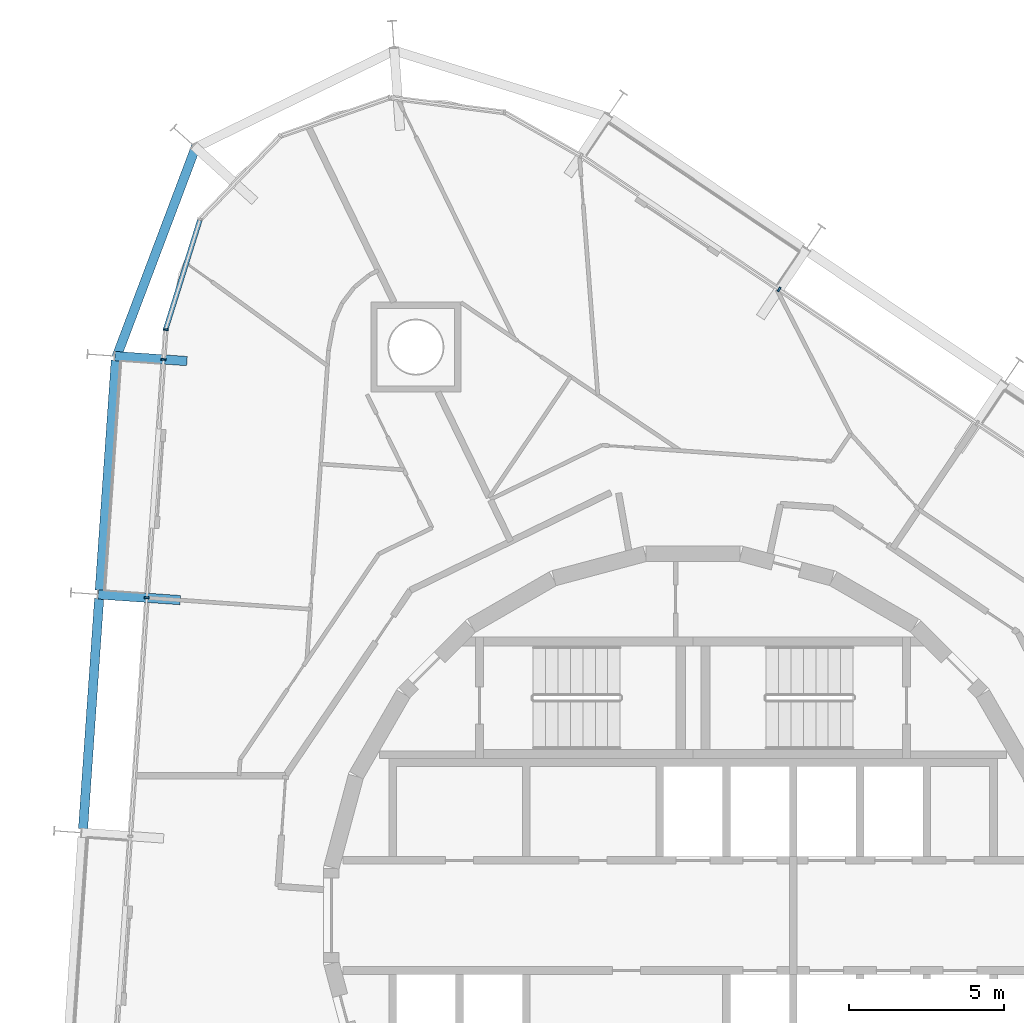
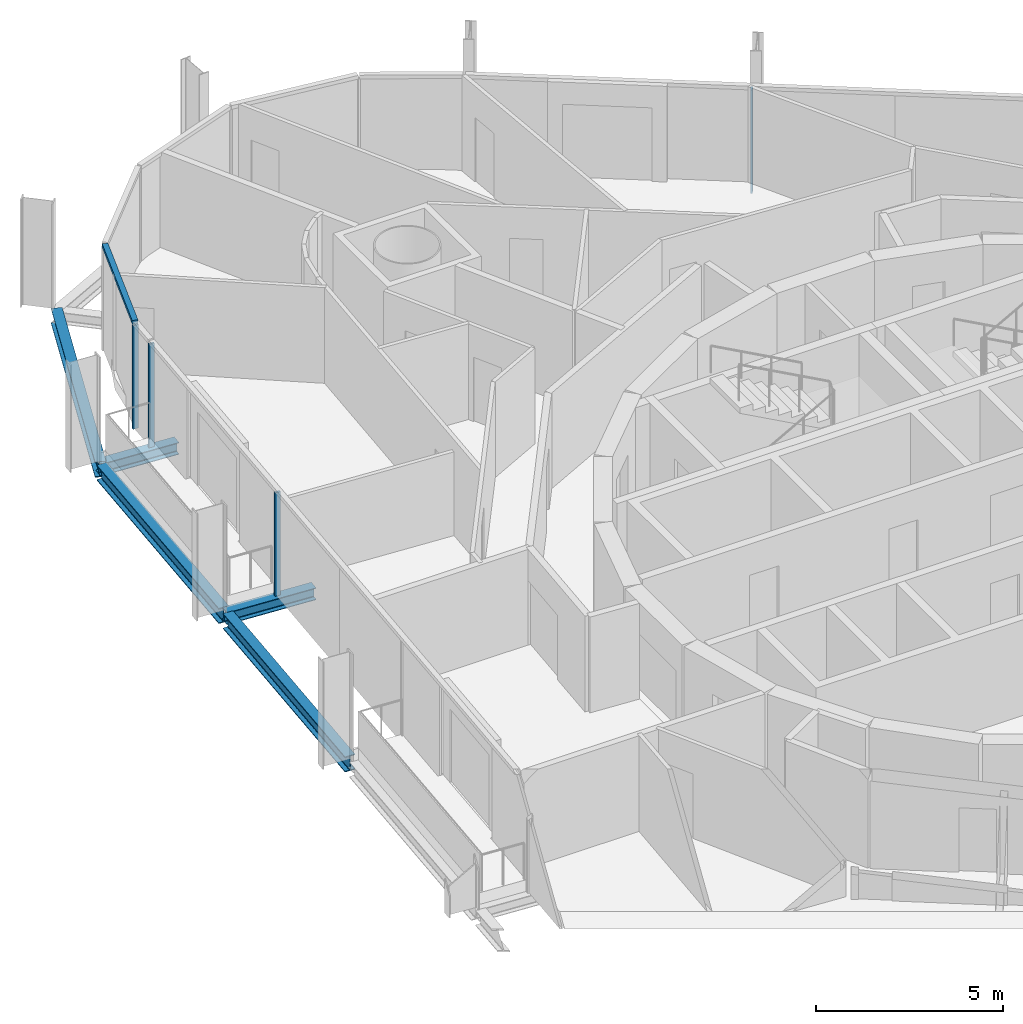
# One storey, part 6 of 17: 5 beams, 5 members, 3 elements without a shape of their own.
"""IFC4 building model written with IfcOpenShell, lengths in metres."""

from ifc_helpers import new_model, si_unit, direction, frame, origin, origin_2d, place, context, subcontext, project, spatial, rectangle, i_section, extrude, material, layer, layer_set, material_profile, profile_set, type_object, element, aggregate, save


model = new_model("IFC4")

# Units and contexts
model_context = context("Model", 3, precision=1e-05, world=origin(), true_north=direction((0.0, 1.0)))
body_context = subcontext(model_context, "Body", "Model", "MODEL_VIEW")
ifc_project = project(units=[si_unit("LENGTHUNIT", "METRE"), si_unit("AREAUNIT", "SQUARE_METRE"), si_unit("VOLUMEUNIT", "CUBIC_METRE"), si_unit("PLANEANGLEUNIT", "RADIAN"), si_unit("MASSUNIT", "GRAM", prefix="KILO")], contexts=[model_context])

# Site, building, storey
site_placement = place(None, origin())
site = spatial("IfcSite", under=ifc_project, at=site_placement, CompositionType="ELEMENT")
building_placement = place(site_placement, origin())
building = spatial("IfcBuilding", under=site, at=building_placement, Name="Spindle Arch Residences", CompositionType="ELEMENT")
storey_placement = place(building_placement, frame((0.0, 0.0, 209.39990234375)))
storey = spatial("IfcBuildingStorey", under=building, at=storey_placement, Name="L53", CompositionType="ELEMENT", Elevation=209.39990234375)

# Curtain wall, member
ifc_material_1 = material(Name="Aluminium bronze unitised frame with tinted glass", Category="aluminium")
ifc_layer_1 = layer(ifc_material_1, 0.159912109375)
ifc_layer_set_1 = layer_set([ifc_layer_1], Name="CW-C typical residential unitised wall")
curtain_wall_type_1 = type_object("IfcCurtainWallType", Name="CW-C typical residential unitised wall", PredefinedType="NOTDEFINED", material=ifc_layer_set_1)
curtain_wall_1_placement = place(storey_placement, origin())
curtain_wall_1 = element("IfcCurtainWall", 1, at=curtain_wall_1_placement, inside=storey, type_object=curtain_wall_type_1, Name="CW-C L53 run 2", PredefinedType="NOTDEFINED")
ifc_material_2 = material(Name="Aluminium bronze anodised mullion", Category="aluminium")
ifc_material_profile_1 = material_profile(ifc_material_2, rectangle(XDim=0.159912109375, YDim=0.06005859375, at=origin_2d()), Name="MU 60x160")
ifc_profile_set_1 = profile_set([ifc_material_profile_1], Name="Aluminium bronze anodised mullion")
member_type_1 = type_object("IfcMemberType", Name="Bronze mullion 60x160", PredefinedType="MULLION", material=ifc_profile_set_1)
member_1_placement = place(storey_placement, frame((2.769775390625, 20.158203125, -0.3798828125), z_axis=(0.0, 0.0, 1.0), x_axis=(-0.559192903471, -0.829037572555, 0.0)))
member_1 = element("IfcMember", 2, at=member_1_placement, type_object=member_type_1, Name="CW-C mullion 08", PredefinedType="MULLION", context=body_context, shape_type="SweptSolid", body=[
    extrude(rectangle(XDim=0.159912109375, YDim=0.06005859375, at=origin_2d()), origin(), (0.0, 0.0, 1.0), 3.3798828125),
])
aggregate(curtain_wall_1, [member_1])

ifc_material_3 = material(Name="Aluminium bronze unitised frame with tinted glass", Category="aluminium")
ifc_layer_2 = layer(ifc_material_3, 0.159912109375)
ifc_layer_set_2 = layer_set([ifc_layer_2], Name="CW-D corner wall on the fillet arcs")
curtain_wall_type_2 = type_object("IfcCurtainWallType", Name="CW-D corner wall on the fillet arcs", PredefinedType="NOTDEFINED", material=ifc_layer_set_2)
curtain_wall_2_placement = place(storey_placement, origin())
curtain_wall_2 = element("IfcCurtainWall", 3, at=curtain_wall_2_placement, inside=storey, type_object=curtain_wall_type_2, Name="CW-D L53 run 3", PredefinedType="NOTDEFINED")
member_2_placement = place(storey_placement, frame((-16.986328125, 18.864501953125, -0.3798828125), z_axis=(0.0, 0.0, 1.0), x_axis=(0.99756405026, -0.069756473744, 0.0)))
member_2 = element("IfcMember", 4, at=member_2_placement, type_object=member_type_1, Name="CW-D mullion 05", PredefinedType="MULLION", context=body_context, shape_type="SweptSolid", body=[
    extrude(rectangle(XDim=0.159912109375, YDim=0.06005859375, at=origin_2d()), origin(), (0.0, 0.0, 1.0), 3.3798828125),
])

# Curtain wall, members
curtain_wall_3_placement = place(storey_placement, origin())
curtain_wall_3 = element("IfcCurtainWall", 5, at=curtain_wall_3_placement, inside=storey, type_object=curtain_wall_type_1, Name="CW-C L53 run 4", PredefinedType="NOTDEFINED")
member_3_placement = place(storey_placement, frame((-17.053466796875, 17.90283203125, -0.3798828125), z_axis=(0.0, 0.0, 1.0), x_axis=(0.99756405026, -0.069756473744, 0.0)))
member_3 = element("IfcMember", 6, at=member_3_placement, type_object=member_type_1, Name="CW-C mullion 12", PredefinedType="MULLION", context=body_context, shape_type="SweptSolid", body=[
    extrude(rectangle(XDim=0.159912109375, YDim=0.06005859375, at=origin_2d()), origin(), (0.0, 0.0, 1.0), 3.3798828125),
])
member_4_placement = place(storey_placement, frame((-17.590087890625, 10.22802734375, -0.3798828125), z_axis=(0.0, 0.0, 1.0), x_axis=(0.99756405026, -0.069756473744, 0.0)))
member_4 = element("IfcMember", 7, at=member_4_placement, type_object=member_type_1, Name="CW-C mullion 13", PredefinedType="MULLION", context=body_context, shape_type="SweptSolid", body=[
    extrude(rectangle(XDim=0.159912109375, YDim=0.06005859375, at=origin_2d()), origin(), (0.0, 0.0, 1.0), 3.3798828125),
])
aggregate(curtain_wall_3, [member_3, member_4])

# Member
ifc_material_4 = material(Name="Aluminium bronze anodised transom", Category="aluminium")
ifc_material_profile_2 = material_profile(ifc_material_4, rectangle(XDim=0.159912109375, YDim=0.1201171875, at=origin_2d()), Name="TR 120x160")
ifc_profile_set_2 = profile_set([ifc_material_profile_2], Name="Aluminium bronze anodised transom")
member_type_2 = type_object("IfcMemberType", Name="Bronze transom 120x160", PredefinedType="USERDEFINED", material=ifc_profile_set_2)
member_5_placement = place(storey_placement, frame((-15.884765625, 22.393310546875, 3.06005859375), z_axis=(-0.297952730594, -0.95458062537, 0.0), x_axis=(0.95458062537, -0.297952730594, 0.0)))
member_5 = element("IfcMember", 8, at=member_5_placement, type_object=member_type_2, Name="CW-D transom 04", ObjectType="TRANSOM", PredefinedType="USERDEFINED", context=body_context, shape_type="SweptSolid", body=[
    extrude(rectangle(XDim=0.159912109375, YDim=0.1201171875, at=origin_2d()), origin(), (0.0, 0.0, 1.0), 3.666748046875),
])

aggregate(curtain_wall_2, [member_5, member_2])

# Beams
ifc_material_5 = material(Name="Steel S460ML, intumescent coating R 120", Category="steel")
ifc_material_profile_3 = material_profile(ifc_material_5, i_section(OverallWidth=0.300048828125, OverallDepth=0.5, WebThickness=0.014404296875, FlangeThickness=0.028076171875, FilletRadius=0.027099609375, at=origin_2d()), Name="HEB 500")
ifc_profile_set_3 = profile_set([ifc_material_profile_3], Name="Steel S460ML, intumescent coating R 120")
beam_type_1 = type_object("IfcBeamType", Name="Exoskeleton edge beam HEB 500", PredefinedType="BEAM", material=ifc_profile_set_3)
beam_1_placement = place(storey_placement, frame((-16.005859375, 24.768310546875, -0.6298828125), z_axis=(-0.353273753707, -0.935519991738, 0.0), x_axis=(0.935519991738, -0.353273753707, 0.0)))
element("IfcBeam", 9, at=beam_1_placement, inside=storey, type_object=beam_type_1, Name="Exoskeleton edge beam 12", PredefinedType="BEAM", context=body_context, shape_type="SweptSolid", body=[
    extrude(i_section(OverallWidth=0.300048828125, OverallDepth=0.5, WebThickness=0.014404296875, FlangeThickness=0.028076171875, FilletRadius=0.027099609375, at=origin_2d()), origin(), (0.0, 0.0, 1.0), 7.26318359375),
])
beam_2_placement = place(storey_placement, frame((-18.5888671875, 17.8798828125, -0.6298828125), z_axis=(-0.069757879566, -0.997563951954, 0.0), x_axis=(0.997563951954, -0.069757879566, 0.0)))
element("IfcBeam", 10, at=beam_2_placement, inside=storey, type_object=beam_type_1, Name="Exoskeleton edge beam 13", PredefinedType="BEAM", context=body_context, shape_type="SweptSolid", body=[
    extrude(i_section(OverallWidth=0.300048828125, OverallDepth=0.5, WebThickness=0.014404296875, FlangeThickness=0.028076171875, FilletRadius=0.027099609375, at=origin_2d()), origin(), (0.0, 0.0, 1.0), 7.43359375),
])
beam_3_placement = place(storey_placement, frame((-19.12548828125, 10.205078125, -0.6298828125), z_axis=(-0.069755594186, -0.997564111764, 0.0), x_axis=(0.997564111764, -0.069755594186, 0.0)))
element("IfcBeam", 11, at=beam_3_placement, inside=storey, type_object=beam_type_1, Name="Exoskeleton edge beam 14", PredefinedType="BEAM", context=body_context, shape_type="SweptSolid", body=[
    extrude(i_section(OverallWidth=0.300048828125, OverallDepth=0.5, WebThickness=0.014404296875, FlangeThickness=0.028076171875, FilletRadius=0.027099609375, at=origin_2d()), origin(), (0.0, 0.0, 1.0), 7.433837890625),
])
ifc_material_6 = material(Name="Steel S460ML, intumescent coating R 120", Category="steel")
ifc_material_profile_4 = material_profile(ifc_material_6, i_section(OverallWidth=0.300048828125, OverallDepth=0.389892578125, WebThickness=0.010986328125, FlangeThickness=0.01904296875, FilletRadius=0.027099609375, at=origin_2d()), Name="HEA 400")
ifc_profile_set_4 = profile_set([ifc_material_profile_4], Name="Steel S460ML, intumescent coating R 120")
beam_type_2 = type_object("IfcBeamType", Name="Floor outrigger HEA 400", PredefinedType="BEAM", material=ifc_profile_set_4)
beam_4_placement = place(storey_placement, frame((-18.61962890625, 18.012451171875, -0.574951171875), z_axis=(0.997565099834, -0.069741462509, 0.0), x_axis=(0.069741462509, 0.997565099834, 0.0)))
element("IfcBeam", 12, at=beam_4_placement, inside=storey, type_object=beam_type_2, Name="Floor outrigger 13", PredefinedType="BEAM", context=body_context, shape_type="SweptSolid", body=[
    extrude(i_section(OverallWidth=0.300048828125, OverallDepth=0.389892578125, WebThickness=0.010986328125, FlangeThickness=0.01904296875, FilletRadius=0.027099609375, at=origin_2d()), origin(), (0.0, 0.0, 1.0), 2.327880859375),
])
beam_5_placement = place(storey_placement, frame((-19.15625, 10.33740234375, -0.574951171875), z_axis=(0.997565124092, -0.069741115528, 0.0), x_axis=(0.069741115528, 0.997565124092, 0.0)))
element("IfcBeam", 13, at=beam_5_placement, inside=storey, type_object=beam_type_2, Name="Floor outrigger 14", PredefinedType="BEAM", context=body_context, shape_type="SweptSolid", body=[
    extrude(i_section(OverallWidth=0.300048828125, OverallDepth=0.389892578125, WebThickness=0.010986328125, FlangeThickness=0.01904296875, FilletRadius=0.027099609375, at=origin_2d()), origin(), (0.0, 0.0, 1.0), 2.64990234375),
])

save(model, "model.ifc")
